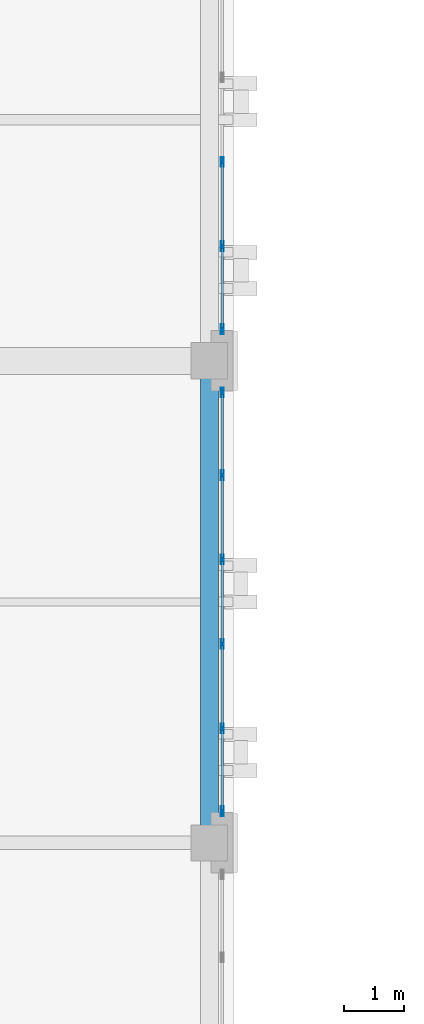
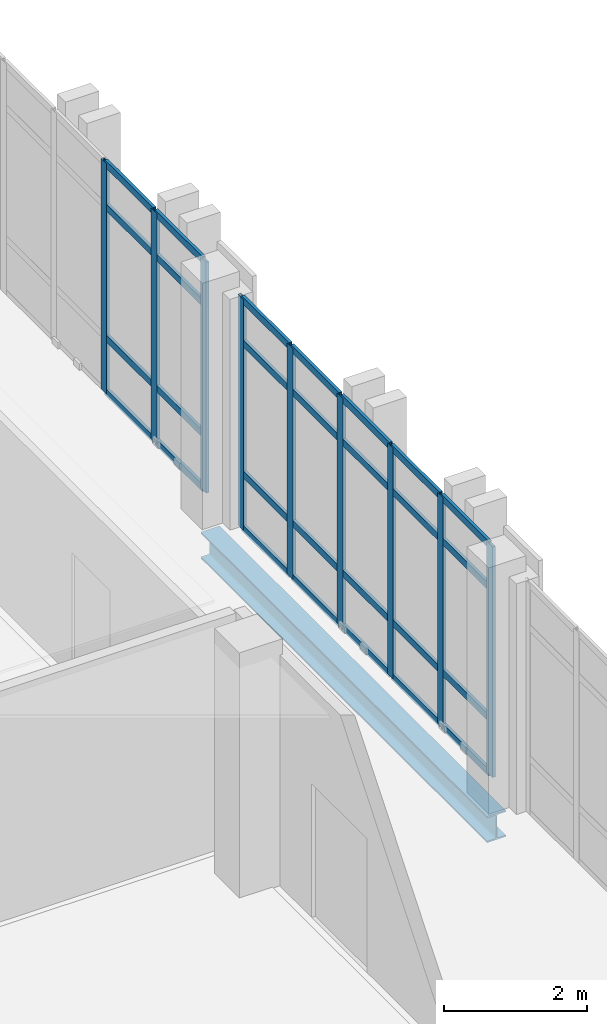
# One storey, part 15 of 77: 37 members, 1 beam, 2 elements without a shape of their own.
"""IFC4 building model written with IfcOpenShell, lengths in metres."""

from ifc_helpers import new_model, si_unit, direction, frame, origin, origin_2d, place, context, subcontext, project, spatial, hollow_rectangle, i_section, extrude, material, layer, layer_set, material_profile, profile_set, type_object, element, aggregate, save


model = new_model("IFC4")

# Units and contexts
model_context = context("Model", 3, precision=1e-05, world=origin(), true_north=direction((0.0, 1.0)))
body_context = subcontext(model_context, "Body", "Model", "MODEL_VIEW")
ifc_project = project(units=[si_unit("LENGTHUNIT", "METRE"), si_unit("AREAUNIT", "SQUARE_METRE"), si_unit("VOLUMEUNIT", "CUBIC_METRE"), si_unit("PLANEANGLEUNIT", "RADIAN"), si_unit("MASSUNIT", "GRAM", prefix="KILO")], contexts=[model_context])

# Site, building, storey
site_placement = place(None, origin())
site = spatial("IfcSite", under=ifc_project, at=site_placement, CompositionType="ELEMENT")
building_placement = place(site_placement, origin())
building = spatial("IfcBuilding", under=site, at=building_placement, Name="Qalavern Law Courts", CompositionType="ELEMENT")
storey_placement = place(building_placement, frame((0.0, 0.0, 27.0)))
storey = spatial("IfcBuildingStorey", under=building, at=storey_placement, Name="L06", CompositionType="ELEMENT", Elevation=27.0)

# Curtain wall, members
ifc_material_1 = material(Name="Anodised aluminium and insulated glazing", Category="aluminium")
ifc_layer = layer(ifc_material_1, 0.159912109375)
ifc_layer_set = layer_set([ifc_layer], Name="Anodised aluminium and insulated glazing")
curtain_wall_type = type_object("IfcCurtainWallType", Name="ENV-CW-CHAMB", PredefinedType="USERDEFINED", material=ifc_layer_set)
curtain_wall_1_placement = place(storey_placement, origin())
curtain_wall_1 = element("IfcCurtainWall", 1, at=curtain_wall_1_placement, inside=storey, type_object=curtain_wall_type, Name="V3 unitised curtain wall L06 east 3", ObjectType="UNITISED CURTAIN WALL", PredefinedType="USERDEFINED")
ifc_material_2 = material(Name="Anodised aluminium", Category="aluminium")
ifc_material_profile_1 = material_profile(ifc_material_2, hollow_rectangle(XDim=0.048095703125, YDim=0.159912109375, WallThickness=0.00390625, at=origin_2d()), Name="ALU MULLION 48x160")
ifc_profile_set_1 = profile_set([ifc_material_profile_1], Name="Anodised aluminium")
member_type_1 = type_object("IfcMemberType", Name="ENV-CWM-48x160", PredefinedType="MULLION", material=ifc_profile_set_1)
member_1_placement = place(storey_placement, frame((18.614990234375, 57.924072265625, 0.0), z_axis=(0.0, 0.0, 1.0), x_axis=(-1.0, 0.0, 0.0)))
member_1 = element("IfcMember", 2, at=member_1_placement, type_object=member_type_1, Name="CW-04 mullion 1", PredefinedType="MULLION", context=body_context, shape_type="SweptSolid", body=[
    extrude(hollow_rectangle(XDim=0.048095703125, YDim=0.159912109375, WallThickness=0.00390625, at=origin_2d()), origin(), (0.0, 0.0, 1.0), 3.93505859375),
])
member_2_placement = place(storey_placement, frame((18.614990234375, 59.300048828125, 0.0), z_axis=(0.0, 0.0, 1.0), x_axis=(-1.0, 0.0, 0.0)))
member_2 = element("IfcMember", 3, at=member_2_placement, type_object=member_type_1, Name="CW-04 mullion 2", PredefinedType="MULLION", context=body_context, shape_type="SweptSolid", body=[
    extrude(hollow_rectangle(XDim=0.048095703125, YDim=0.159912109375, WallThickness=0.00390625, at=origin_2d()), origin(), (0.0, 0.0, 1.0), 3.93505859375),
])
member_3_placement = place(storey_placement, frame((18.614990234375, 60.699951171875, 0.0), z_axis=(0.0, 0.0, 1.0), x_axis=(-1.0, 0.0, 0.0)))
member_3 = element("IfcMember", 4, at=member_3_placement, type_object=member_type_1, Name="CW-04 mullion 3", PredefinedType="MULLION", context=body_context, shape_type="SweptSolid", body=[
    extrude(hollow_rectangle(XDim=0.048095703125, YDim=0.159912109375, WallThickness=0.00390625, at=origin_2d()), origin(), (0.0, 0.0, 1.0), 3.93505859375),
])
member_4_placement = place(storey_placement, frame((18.614990234375, 62.10009765625, 0.0), z_axis=(0.0, 0.0, 1.0), x_axis=(-1.0, 0.0, 0.0)))
member_4 = element("IfcMember", 5, at=member_4_placement, type_object=member_type_1, Name="CW-04 mullion 4", PredefinedType="MULLION", context=body_context, shape_type="SweptSolid", body=[
    extrude(hollow_rectangle(XDim=0.048095703125, YDim=0.159912109375, WallThickness=0.00390625, at=origin_2d()), origin(), (0.0, 0.0, 1.0), 3.93505859375),
])
member_5_placement = place(storey_placement, frame((18.614990234375, 63.5, 0.0), z_axis=(0.0, 0.0, 1.0), x_axis=(-1.0, 0.0, 0.0)))
member_5 = element("IfcMember", 6, at=member_5_placement, type_object=member_type_1, Name="CW-04 mullion 5", PredefinedType="MULLION", context=body_context, shape_type="SweptSolid", body=[
    extrude(hollow_rectangle(XDim=0.048095703125, YDim=0.159912109375, WallThickness=0.00390625, at=origin_2d()), origin(), (0.0, 0.0, 1.0), 3.93505859375),
])
member_6_placement = place(storey_placement, frame((18.614990234375, 64.8759765625, 0.0), z_axis=(0.0, 0.0, 1.0), x_axis=(-1.0, 0.0, 0.0)))
member_6 = element("IfcMember", 7, at=member_6_placement, type_object=member_type_1, Name="CW-04 mullion 6", PredefinedType="MULLION", context=body_context, shape_type="SweptSolid", body=[
    extrude(hollow_rectangle(XDim=0.048095703125, YDim=0.159912109375, WallThickness=0.00390625, at=origin_2d()), origin(), (0.0, 0.0, 1.0), 3.93505859375),
])

curtain_wall_2_placement = place(storey_placement, origin())
curtain_wall_2 = element("IfcCurtainWall", 8, at=curtain_wall_2_placement, inside=storey, type_object=curtain_wall_type, Name="V3 unitised curtain wall L06 east 4", ObjectType="UNITISED CURTAIN WALL", PredefinedType="USERDEFINED")
member_7_placement = place(storey_placement, frame((18.614990234375, 65.924072265625, 0.0), z_axis=(0.0, 0.0, 1.0), x_axis=(-1.0, 0.0, 0.0)))
member_7 = element("IfcMember", 9, at=member_7_placement, type_object=member_type_1, Name="CW-04 mullion 1", PredefinedType="MULLION", context=body_context, shape_type="SweptSolid", body=[
    extrude(hollow_rectangle(XDim=0.048095703125, YDim=0.159912109375, WallThickness=0.00390625, at=origin_2d()), origin(), (0.0, 0.0, 1.0), 3.93505859375),
])
member_8_placement = place(storey_placement, frame((18.614990234375, 67.300048828125, 0.0), z_axis=(0.0, 0.0, 1.0), x_axis=(-1.0, 0.0, 0.0)))
member_8 = element("IfcMember", 10, at=member_8_placement, type_object=member_type_1, Name="CW-04 mullion 2", PredefinedType="MULLION", context=body_context, shape_type="SweptSolid", body=[
    extrude(hollow_rectangle(XDim=0.048095703125, YDim=0.159912109375, WallThickness=0.00390625, at=origin_2d()), origin(), (0.0, 0.0, 1.0), 3.93505859375),
])
member_9_placement = place(storey_placement, frame((18.614990234375, 68.699951171875, 0.0), z_axis=(0.0, 0.0, 1.0), x_axis=(-1.0, 0.0, 0.0)))
member_9 = element("IfcMember", 11, at=member_9_placement, type_object=member_type_1, Name="CW-04 mullion 3", PredefinedType="MULLION", context=body_context, shape_type="SweptSolid", body=[
    extrude(hollow_rectangle(XDim=0.048095703125, YDim=0.159912109375, WallThickness=0.00390625, at=origin_2d()), origin(), (0.0, 0.0, 1.0), 3.93505859375),
])

# Member
ifc_material_profile_2 = material_profile(ifc_material_2, hollow_rectangle(XDim=0.048095703125, YDim=0.1201171875, WallThickness=0.00390625, at=origin_2d()), Name="ALU TRANSOM 48x120")
ifc_profile_set_2 = profile_set([ifc_material_profile_2], Name="Anodised aluminium")
member_type_2 = type_object("IfcMemberType", Name="ENV-CWT-48x120", PredefinedType="USERDEFINED", material=ifc_profile_set_2)
member_10_placement = place(storey_placement, frame((18.614990234375, 57.947998046875, 0.02392578125), z_axis=(0.0, 1.0, 0.0), x_axis=(-1.0, 0.0, 0.0)))
member_10 = element("IfcMember", 12, at=member_10_placement, type_object=member_type_2, Name="CW-04 transom 1.1", ObjectType="TRANSOM", PredefinedType="USERDEFINED", context=body_context, shape_type="SweptSolid", body=[
    extrude(hollow_rectangle(XDim=0.048095703125, YDim=0.1201171875, WallThickness=0.00390625, at=origin_2d()), origin(), (0.0, 0.0, 1.0), 1.327880859375),
])

member_11_placement = place(storey_placement, frame((18.614990234375, 57.947998046875, 0.949951171875), z_axis=(0.0, 1.0, 0.0), x_axis=(-1.0, 0.0, 0.0)))
member_11 = element("IfcMember", 13, at=member_11_placement, type_object=member_type_2, Name="CW-04 transom 1.2", ObjectType="TRANSOM", PredefinedType="USERDEFINED", context=body_context, shape_type="SweptSolid", body=[
    extrude(hollow_rectangle(XDim=0.048095703125, YDim=0.1201171875, WallThickness=0.00390625, at=origin_2d()), origin(), (0.0, 0.0, 1.0), 1.327880859375),
])

member_12_placement = place(storey_placement, frame((18.614990234375, 57.947998046875, 3.18505859375), z_axis=(0.0, 1.0, 0.0), x_axis=(-1.0, 0.0, 0.0)))
member_12 = element("IfcMember", 14, at=member_12_placement, type_object=member_type_2, Name="CW-04 transom 1.3", ObjectType="TRANSOM", PredefinedType="USERDEFINED", context=body_context, shape_type="SweptSolid", body=[
    extrude(hollow_rectangle(XDim=0.048095703125, YDim=0.1201171875, WallThickness=0.00390625, at=origin_2d()), origin(), (0.0, 0.0, 1.0), 1.327880859375),
])

member_13_placement = place(storey_placement, frame((18.614990234375, 57.947998046875, 3.910888671875), z_axis=(0.0, 1.0, 0.0), x_axis=(-1.0, 0.0, 0.0)))
member_13 = element("IfcMember", 15, at=member_13_placement, type_object=member_type_2, Name="CW-04 transom 1.4", ObjectType="TRANSOM", PredefinedType="USERDEFINED", context=body_context, shape_type="SweptSolid", body=[
    extrude(hollow_rectangle(XDim=0.048095703125, YDim=0.1201171875, WallThickness=0.00390625, at=origin_2d()), origin(), (0.0, 0.0, 1.0), 1.327880859375),
])

member_14_placement = place(storey_placement, frame((18.614990234375, 59.323974609375, 0.02392578125), z_axis=(0.0, 1.0, 0.0), x_axis=(-1.0, 0.0, 0.0)))
member_14 = element("IfcMember", 16, at=member_14_placement, type_object=member_type_2, Name="CW-04 transom 2.1", ObjectType="TRANSOM", PredefinedType="USERDEFINED", context=body_context, shape_type="SweptSolid", body=[
    extrude(hollow_rectangle(XDim=0.048095703125, YDim=0.1201171875, WallThickness=0.00390625, at=origin_2d()), origin(), (0.0, 0.0, 1.0), 1.35205078125),
])

member_15_placement = place(storey_placement, frame((18.614990234375, 59.323974609375, 0.949951171875), z_axis=(0.0, 1.0, 0.0), x_axis=(-1.0, 0.0, 0.0)))
member_15 = element("IfcMember", 17, at=member_15_placement, type_object=member_type_2, Name="CW-04 transom 2.2", ObjectType="TRANSOM", PredefinedType="USERDEFINED", context=body_context, shape_type="SweptSolid", body=[
    extrude(hollow_rectangle(XDim=0.048095703125, YDim=0.1201171875, WallThickness=0.00390625, at=origin_2d()), origin(), (0.0, 0.0, 1.0), 1.35205078125),
])

member_16_placement = place(storey_placement, frame((18.614990234375, 59.323974609375, 3.18505859375), z_axis=(0.0, 1.0, 0.0), x_axis=(-1.0, 0.0, 0.0)))
member_16 = element("IfcMember", 18, at=member_16_placement, type_object=member_type_2, Name="CW-04 transom 2.3", ObjectType="TRANSOM", PredefinedType="USERDEFINED", context=body_context, shape_type="SweptSolid", body=[
    extrude(hollow_rectangle(XDim=0.048095703125, YDim=0.1201171875, WallThickness=0.00390625, at=origin_2d()), origin(), (0.0, 0.0, 1.0), 1.35205078125),
])

member_17_placement = place(storey_placement, frame((18.614990234375, 59.323974609375, 3.910888671875), z_axis=(0.0, 1.0, 0.0), x_axis=(-1.0, 0.0, 0.0)))
member_17 = element("IfcMember", 19, at=member_17_placement, type_object=member_type_2, Name="CW-04 transom 2.4", ObjectType="TRANSOM", PredefinedType="USERDEFINED", context=body_context, shape_type="SweptSolid", body=[
    extrude(hollow_rectangle(XDim=0.048095703125, YDim=0.1201171875, WallThickness=0.00390625, at=origin_2d()), origin(), (0.0, 0.0, 1.0), 1.35205078125),
])

member_18_placement = place(storey_placement, frame((18.614990234375, 60.72412109375, 0.02392578125), z_axis=(0.0, 1.0, 0.0), x_axis=(-1.0, 0.0, 0.0)))
member_18 = element("IfcMember", 20, at=member_18_placement, type_object=member_type_2, Name="CW-04 transom 3.1", ObjectType="TRANSOM", PredefinedType="USERDEFINED", context=body_context, shape_type="SweptSolid", body=[
    extrude(hollow_rectangle(XDim=0.048095703125, YDim=0.1201171875, WallThickness=0.00390625, at=origin_2d()), origin(), (0.0, 0.0, 1.0), 1.351806640625),
])

member_19_placement = place(storey_placement, frame((18.614990234375, 60.72412109375, 0.949951171875), z_axis=(0.0, 1.0, 0.0), x_axis=(-1.0, 0.0, 0.0)))
member_19 = element("IfcMember", 21, at=member_19_placement, type_object=member_type_2, Name="CW-04 transom 3.2", ObjectType="TRANSOM", PredefinedType="USERDEFINED", context=body_context, shape_type="SweptSolid", body=[
    extrude(hollow_rectangle(XDim=0.048095703125, YDim=0.1201171875, WallThickness=0.00390625, at=origin_2d()), origin(), (0.0, 0.0, 1.0), 1.351806640625),
])

member_20_placement = place(storey_placement, frame((18.614990234375, 60.72412109375, 3.18505859375), z_axis=(0.0, 1.0, 0.0), x_axis=(-1.0, 0.0, 0.0)))
member_20 = element("IfcMember", 22, at=member_20_placement, type_object=member_type_2, Name="CW-04 transom 3.3", ObjectType="TRANSOM", PredefinedType="USERDEFINED", context=body_context, shape_type="SweptSolid", body=[
    extrude(hollow_rectangle(XDim=0.048095703125, YDim=0.1201171875, WallThickness=0.00390625, at=origin_2d()), origin(), (0.0, 0.0, 1.0), 1.351806640625),
])

member_21_placement = place(storey_placement, frame((18.614990234375, 60.72412109375, 3.910888671875), z_axis=(0.0, 1.0, 0.0), x_axis=(-1.0, 0.0, 0.0)))
member_21 = element("IfcMember", 23, at=member_21_placement, type_object=member_type_2, Name="CW-04 transom 3.4", ObjectType="TRANSOM", PredefinedType="USERDEFINED", context=body_context, shape_type="SweptSolid", body=[
    extrude(hollow_rectangle(XDim=0.048095703125, YDim=0.1201171875, WallThickness=0.00390625, at=origin_2d()), origin(), (0.0, 0.0, 1.0), 1.351806640625),
])

member_22_placement = place(storey_placement, frame((18.614990234375, 62.1240234375, 0.02392578125), z_axis=(0.0, 1.0, 0.0), x_axis=(-1.0, 0.0, 0.0)))
member_22 = element("IfcMember", 24, at=member_22_placement, type_object=member_type_2, Name="CW-04 transom 4.1", ObjectType="TRANSOM", PredefinedType="USERDEFINED", context=body_context, shape_type="SweptSolid", body=[
    extrude(hollow_rectangle(XDim=0.048095703125, YDim=0.1201171875, WallThickness=0.00390625, at=origin_2d()), origin(), (0.0, 0.0, 1.0), 1.35205078125),
])

member_23_placement = place(storey_placement, frame((18.614990234375, 62.1240234375, 0.949951171875), z_axis=(0.0, 1.0, 0.0), x_axis=(-1.0, 0.0, 0.0)))
member_23 = element("IfcMember", 25, at=member_23_placement, type_object=member_type_2, Name="CW-04 transom 4.2", ObjectType="TRANSOM", PredefinedType="USERDEFINED", context=body_context, shape_type="SweptSolid", body=[
    extrude(hollow_rectangle(XDim=0.048095703125, YDim=0.1201171875, WallThickness=0.00390625, at=origin_2d()), origin(), (0.0, 0.0, 1.0), 1.35205078125),
])

member_24_placement = place(storey_placement, frame((18.614990234375, 62.1240234375, 3.18505859375), z_axis=(0.0, 1.0, 0.0), x_axis=(-1.0, 0.0, 0.0)))
member_24 = element("IfcMember", 26, at=member_24_placement, type_object=member_type_2, Name="CW-04 transom 4.3", ObjectType="TRANSOM", PredefinedType="USERDEFINED", context=body_context, shape_type="SweptSolid", body=[
    extrude(hollow_rectangle(XDim=0.048095703125, YDim=0.1201171875, WallThickness=0.00390625, at=origin_2d()), origin(), (0.0, 0.0, 1.0), 1.35205078125),
])

member_25_placement = place(storey_placement, frame((18.614990234375, 62.1240234375, 3.910888671875), z_axis=(0.0, 1.0, 0.0), x_axis=(-1.0, 0.0, 0.0)))
member_25 = element("IfcMember", 27, at=member_25_placement, type_object=member_type_2, Name="CW-04 transom 4.4", ObjectType="TRANSOM", PredefinedType="USERDEFINED", context=body_context, shape_type="SweptSolid", body=[
    extrude(hollow_rectangle(XDim=0.048095703125, YDim=0.1201171875, WallThickness=0.00390625, at=origin_2d()), origin(), (0.0, 0.0, 1.0), 1.35205078125),
])

member_26_placement = place(storey_placement, frame((18.614990234375, 63.52392578125, 0.02392578125), z_axis=(0.0, 1.0, 0.0), x_axis=(-1.0, 0.0, 0.0)))
member_26 = element("IfcMember", 28, at=member_26_placement, type_object=member_type_2, Name="CW-04 transom 5.1", ObjectType="TRANSOM", PredefinedType="USERDEFINED", context=body_context, shape_type="SweptSolid", body=[
    extrude(hollow_rectangle(XDim=0.048095703125, YDim=0.1201171875, WallThickness=0.00390625, at=origin_2d()), origin(), (0.0, 0.0, 1.0), 1.328125),
])

member_27_placement = place(storey_placement, frame((18.614990234375, 63.52392578125, 0.949951171875), z_axis=(0.0, 1.0, 0.0), x_axis=(-1.0, 0.0, 0.0)))
member_27 = element("IfcMember", 29, at=member_27_placement, type_object=member_type_2, Name="CW-04 transom 5.2", ObjectType="TRANSOM", PredefinedType="USERDEFINED", context=body_context, shape_type="SweptSolid", body=[
    extrude(hollow_rectangle(XDim=0.048095703125, YDim=0.1201171875, WallThickness=0.00390625, at=origin_2d()), origin(), (0.0, 0.0, 1.0), 1.328125),
])

member_28_placement = place(storey_placement, frame((18.614990234375, 63.52392578125, 3.18505859375), z_axis=(0.0, 1.0, 0.0), x_axis=(-1.0, 0.0, 0.0)))
member_28 = element("IfcMember", 30, at=member_28_placement, type_object=member_type_2, Name="CW-04 transom 5.3", ObjectType="TRANSOM", PredefinedType="USERDEFINED", context=body_context, shape_type="SweptSolid", body=[
    extrude(hollow_rectangle(XDim=0.048095703125, YDim=0.1201171875, WallThickness=0.00390625, at=origin_2d()), origin(), (0.0, 0.0, 1.0), 1.328125),
])

member_29_placement = place(storey_placement, frame((18.614990234375, 63.52392578125, 3.910888671875), z_axis=(0.0, 1.0, 0.0), x_axis=(-1.0, 0.0, 0.0)))
member_29 = element("IfcMember", 31, at=member_29_placement, type_object=member_type_2, Name="CW-04 transom 5.4", ObjectType="TRANSOM", PredefinedType="USERDEFINED", context=body_context, shape_type="SweptSolid", body=[
    extrude(hollow_rectangle(XDim=0.048095703125, YDim=0.1201171875, WallThickness=0.00390625, at=origin_2d()), origin(), (0.0, 0.0, 1.0), 1.328125),
])

aggregate(curtain_wall_1, [member_1, member_2, member_3, member_4, member_5, member_6, member_10, member_11, member_12, member_13, member_14, member_15, member_16, member_17, member_18, member_19, member_20, member_21, member_22, member_23, member_24, member_25, member_26, member_27, member_28, member_29])

member_30_placement = place(storey_placement, frame((18.614990234375, 65.947998046875, 0.02392578125), z_axis=(0.0, 1.0, 0.0), x_axis=(-1.0, 0.0, 0.0)))
member_30 = element("IfcMember", 32, at=member_30_placement, type_object=member_type_2, Name="CW-04 transom 1.1", ObjectType="TRANSOM", PredefinedType="USERDEFINED", context=body_context, shape_type="SweptSolid", body=[
    extrude(hollow_rectangle(XDim=0.048095703125, YDim=0.1201171875, WallThickness=0.00390625, at=origin_2d()), origin(), (0.0, 0.0, 1.0), 1.327880859375),
])

member_31_placement = place(storey_placement, frame((18.614990234375, 65.947998046875, 0.949951171875), z_axis=(0.0, 1.0, 0.0), x_axis=(-1.0, 0.0, 0.0)))
member_31 = element("IfcMember", 33, at=member_31_placement, type_object=member_type_2, Name="CW-04 transom 1.2", ObjectType="TRANSOM", PredefinedType="USERDEFINED", context=body_context, shape_type="SweptSolid", body=[
    extrude(hollow_rectangle(XDim=0.048095703125, YDim=0.1201171875, WallThickness=0.00390625, at=origin_2d()), origin(), (0.0, 0.0, 1.0), 1.327880859375),
])

member_32_placement = place(storey_placement, frame((18.614990234375, 65.947998046875, 3.18505859375), z_axis=(0.0, 1.0, 0.0), x_axis=(-1.0, 0.0, 0.0)))
member_32 = element("IfcMember", 34, at=member_32_placement, type_object=member_type_2, Name="CW-04 transom 1.3", ObjectType="TRANSOM", PredefinedType="USERDEFINED", context=body_context, shape_type="SweptSolid", body=[
    extrude(hollow_rectangle(XDim=0.048095703125, YDim=0.1201171875, WallThickness=0.00390625, at=origin_2d()), origin(), (0.0, 0.0, 1.0), 1.327880859375),
])

member_33_placement = place(storey_placement, frame((18.614990234375, 65.947998046875, 3.910888671875), z_axis=(0.0, 1.0, 0.0), x_axis=(-1.0, 0.0, 0.0)))
member_33 = element("IfcMember", 35, at=member_33_placement, type_object=member_type_2, Name="CW-04 transom 1.4", ObjectType="TRANSOM", PredefinedType="USERDEFINED", context=body_context, shape_type="SweptSolid", body=[
    extrude(hollow_rectangle(XDim=0.048095703125, YDim=0.1201171875, WallThickness=0.00390625, at=origin_2d()), origin(), (0.0, 0.0, 1.0), 1.327880859375),
])

member_34_placement = place(storey_placement, frame((18.614990234375, 67.323974609375, 0.02392578125), z_axis=(0.0, 1.0, 0.0), x_axis=(-1.0, 0.0, 0.0)))
member_34 = element("IfcMember", 36, at=member_34_placement, type_object=member_type_2, Name="CW-04 transom 2.1", ObjectType="TRANSOM", PredefinedType="USERDEFINED", context=body_context, shape_type="SweptSolid", body=[
    extrude(hollow_rectangle(XDim=0.048095703125, YDim=0.1201171875, WallThickness=0.00390625, at=origin_2d()), origin(), (0.0, 0.0, 1.0), 1.35205078125),
])

member_35_placement = place(storey_placement, frame((18.614990234375, 67.323974609375, 0.949951171875), z_axis=(0.0, 1.0, 0.0), x_axis=(-1.0, 0.0, 0.0)))
member_35 = element("IfcMember", 37, at=member_35_placement, type_object=member_type_2, Name="CW-04 transom 2.2", ObjectType="TRANSOM", PredefinedType="USERDEFINED", context=body_context, shape_type="SweptSolid", body=[
    extrude(hollow_rectangle(XDim=0.048095703125, YDim=0.1201171875, WallThickness=0.00390625, at=origin_2d()), origin(), (0.0, 0.0, 1.0), 1.35205078125),
])

member_36_placement = place(storey_placement, frame((18.614990234375, 67.323974609375, 3.18505859375), z_axis=(0.0, 1.0, 0.0), x_axis=(-1.0, 0.0, 0.0)))
member_36 = element("IfcMember", 38, at=member_36_placement, type_object=member_type_2, Name="CW-04 transom 2.3", ObjectType="TRANSOM", PredefinedType="USERDEFINED", context=body_context, shape_type="SweptSolid", body=[
    extrude(hollow_rectangle(XDim=0.048095703125, YDim=0.1201171875, WallThickness=0.00390625, at=origin_2d()), origin(), (0.0, 0.0, 1.0), 1.35205078125),
])

member_37_placement = place(storey_placement, frame((18.614990234375, 67.323974609375, 3.910888671875), z_axis=(0.0, 1.0, 0.0), x_axis=(-1.0, 0.0, 0.0)))
member_37 = element("IfcMember", 39, at=member_37_placement, type_object=member_type_2, Name="CW-04 transom 2.4", ObjectType="TRANSOM", PredefinedType="USERDEFINED", context=body_context, shape_type="SweptSolid", body=[
    extrude(hollow_rectangle(XDim=0.048095703125, YDim=0.1201171875, WallThickness=0.00390625, at=origin_2d()), origin(), (0.0, 0.0, 1.0), 1.35205078125),
])

aggregate(curtain_wall_2, [member_7, member_8, member_9, member_30, member_31, member_32, member_33, member_34, member_35, member_36, member_37])

# Beam
ifc_material_3 = material(Name="Steel S355", Category="steel")
ifc_material_profile_3 = material_profile(ifc_material_3, i_section(OverallWidth=0.300048828125, OverallDepth=0.449951171875, WebThickness=0.013916015625, FlangeThickness=0.02587890625, FilletRadius=0.027099609375, at=origin_2d()), Name="HEB 450")
ifc_profile_set_3 = profile_set([ifc_material_profile_3], Name="Steel S355")
beam_type = type_object("IfcBeamType", Name="STR-SP-HEB450", PredefinedType="SPANDREL", material=ifc_profile_set_3)
beam_placement = place(storey_placement, frame((18.39990234375, 57.39990234375, -0.4951171875), z_axis=(0.0, 1.0, 0.0), x_axis=(-1.0, 0.0, 0.0)))
element("IfcBeam", 40, at=beam_placement, inside=storey, type_object=beam_type, Name="V3 Y-beam 3-3 L06", PredefinedType="SPANDREL", context=body_context, shape_type="SweptSolid", body=[
    extrude(i_section(OverallWidth=0.300048828125, OverallDepth=0.449951171875, WebThickness=0.013916015625, FlangeThickness=0.02587890625, FilletRadius=0.027099609375, at=origin_2d()), origin(), (0.0, 0.0, 1.0), 8.0),
])

save(model, "model.ifc")
